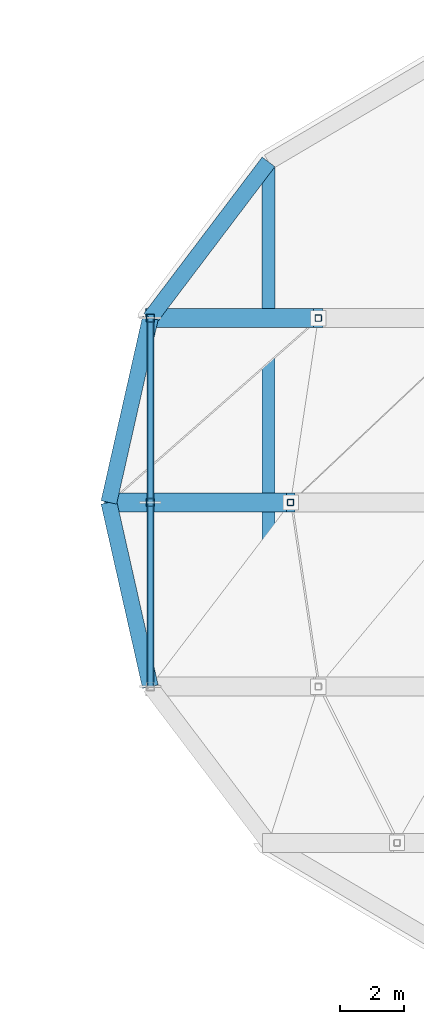
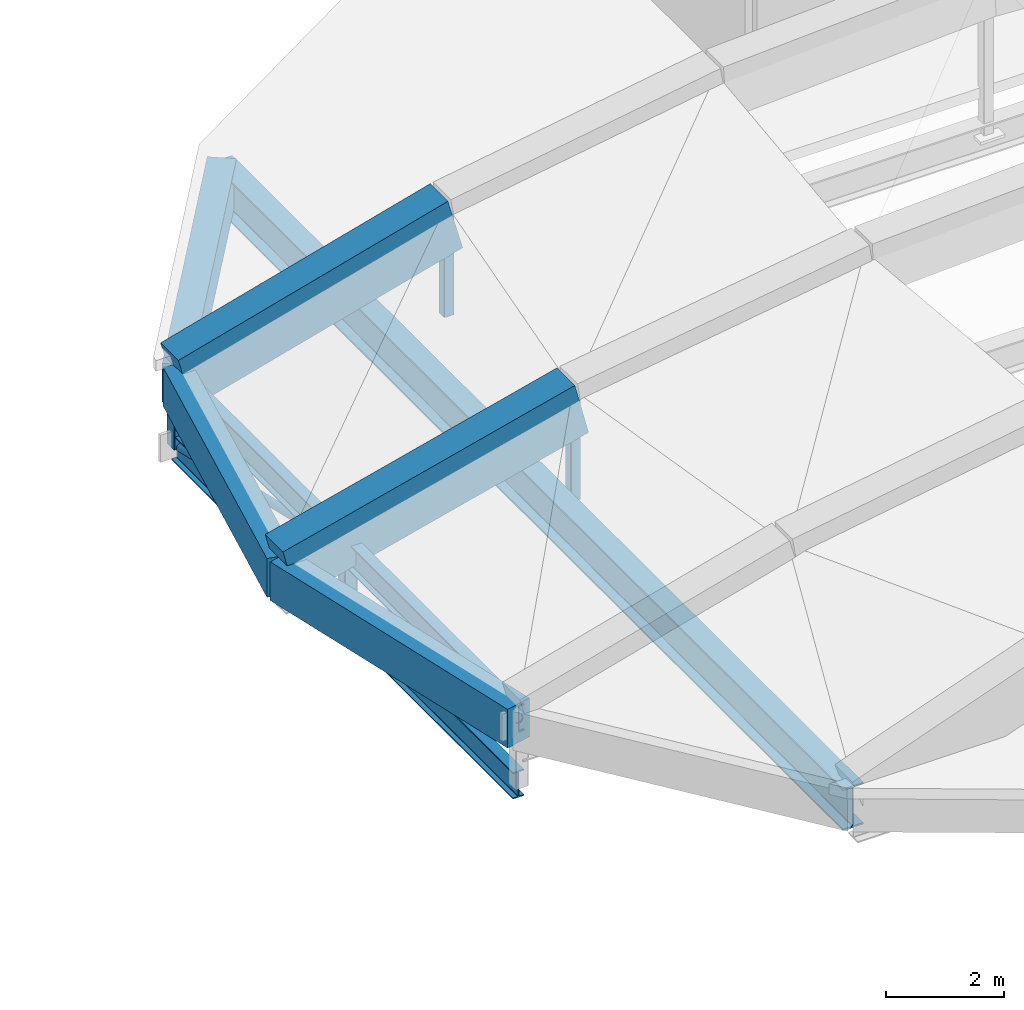
# One storey, part 49 of 88: 8 members, 7 beams.
"""IFC4 building model written with IfcOpenShell, lengths in metres."""

from ifc_helpers import new_model, si_unit, direction, frame, origin, origin_2d, place, context, subcontext, project, spatial, rectangle, hollow_rectangle, hollow_circle, i_section, extrude, material, material_profile, profile_set, type_object, element, save


model = new_model("IFC4")

# Units and contexts
model_context = context("Model", 3, precision=1e-05, world=origin(), true_north=direction((0.0, 1.0)))
body_context = subcontext(model_context, "Body", "Model", "MODEL_VIEW")
ifc_project = project(units=[si_unit("LENGTHUNIT", "METRE"), si_unit("AREAUNIT", "SQUARE_METRE"), si_unit("VOLUMEUNIT", "CUBIC_METRE"), si_unit("PLANEANGLEUNIT", "RADIAN"), si_unit("MASSUNIT", "GRAM", prefix="KILO")], contexts=[model_context])

# Site, building, storey
site_placement = place(None, origin())
site = spatial("IfcSite", under=ifc_project, at=site_placement, CompositionType="ELEMENT")
building_placement = place(site_placement, origin())
building = spatial("IfcBuilding", under=site, at=building_placement, Name="Vespera Passage Community Centre", CompositionType="ELEMENT")
storey_placement = place(building_placement, frame((0.0, 0.0, 16.5)))
storey = spatial("IfcBuildingStorey", under=building, at=storey_placement, Name="L04", CompositionType="ELEMENT", Elevation=16.5)

# Beams
ifc_material_1 = material(Name="Concrete f'c 45 MPa", Category="concrete")
ifc_material_profile_1 = material_profile(ifc_material_1, rectangle(XDim=0.60009765625, YDim=1.10009765625, at=origin_2d()), Name="RC600X1100")
ifc_profile_set_1 = profile_set([ifc_material_profile_1], Name="Concrete f'c 45 MPa")
beam_type_1 = type_object("IfcBeamType", Name="BM-AR-600X1100", PredefinedType="USERDEFINED", material=ifc_profile_set_1)
beam_1_placement = place(storey_placement, frame((125.89990234375, 89.5, -0.419921875), z_axis=(0.969365839516, 0.0, 0.245621393977), x_axis=(0.0, 1.0, 0.0)))
element("IfcBeam", 1, at=beam_1_placement, inside=storey, type_object=beam_type_1, Name="Sports Hall Arched Rib 3.1", ObjectType="ARCH RIB", PredefinedType="USERDEFINED", context=body_context, shape_type="SweptSolid", body=[
    extrude(rectangle(XDim=0.60009765625, YDim=1.10009765625, at=origin_2d()), origin(), (0.0, 0.0, 1.0), 5.88037109375),
])
beam_2_placement = place(storey_placement, frame((127.20166015625, 95.278564453125, -0.419921875), z_axis=(0.964385203819, 0.0, 0.264501755484), x_axis=(0.0, 1.0, 0.0)))
element("IfcBeam", 2, at=beam_2_placement, inside=storey, type_object=beam_type_1, Name="Sports Hall Arched Rib 4.1", ObjectType="ARCH RIB", PredefinedType="USERDEFINED", context=body_context, shape_type="SweptSolid", body=[
    extrude(rectangle(XDim=0.60009765625, YDim=1.10009765625, at=origin_2d()), origin(), (0.0, 0.0, 1.0), 5.460693359375),
])
ifc_material_2 = material(Name="Steel ASTM A992 Grade 50", Category="steel")
ifc_material_profile_2 = material_profile(ifc_material_2, i_section(OverallWidth=0.2138671875, OverallDepth=0.548583984375, WebThickness=0.0146484375, FlangeThickness=0.023681640625, FilletRadius=0.0126953125, at=origin_2d()), Name="W21X93")
ifc_profile_set_2 = profile_set([ifc_material_profile_2], Name="Steel ASTM A992 Grade 50")
beam_type_2 = type_object("IfcBeamType", Name="BM-G-W21X93", PredefinedType="BEAM", material=ifc_profile_set_2)
beam_3_placement = place(storey_placement, frame((127.20166015625, 95.278564453125, -1.860107421875), z_axis=(0.0, -1.0, 0.0), x_axis=(1.0, 0.0, 0.0)))
element("IfcBeam", 3, at=beam_3_placement, inside=storey, type_object=beam_type_2, Name="Sports Hall Eave Tie Beam 2", PredefinedType="BEAM", context=body_context, shape_type="SweptSolid", body=[
    extrude(i_section(OverallWidth=0.2138671875, OverallDepth=0.548583984375, WebThickness=0.0146484375, FlangeThickness=0.023681640625, FilletRadius=0.0126953125, at=origin_2d()), origin(), (0.0, 0.0, 1.0), 11.55712890625),
])
ifc_material_3 = material(Name="Steel ASTM A992 Grade 50", Category="steel")
ifc_material_profile_3 = material_profile(ifc_material_3, i_section(OverallWidth=0.400146484375, OverallDepth=0.86181640625, WebThickness=0.019775390625, FlangeThickness=0.032470703125, FilletRadius=0.017822265625, at=origin_2d()), Name="W33X221")
ifc_profile_set_3 = profile_set([ifc_material_profile_3], Name="Steel ASTM A992 Grade 50")
beam_type_3 = type_object("IfcBeamType", Name="BM-G-W33X221", PredefinedType="BEAM", material=ifc_profile_set_3)
beam_4_placement = place(storey_placement, frame((130.908447265625, 100.17724609375, -0.65087890625), z_axis=(0.0, -1.0, 0.0), x_axis=(1.0, 0.0, 0.0)))
element("IfcBeam", 4, at=beam_4_placement, inside=storey, type_object=beam_type_3, Name="Sports Hall Roof Frame Girder 4", PredefinedType="BEAM", context=body_context, shape_type="SweptSolid", body=[
    extrude(i_section(OverallWidth=0.400146484375, OverallDepth=0.86181640625, WebThickness=0.019775390625, FlangeThickness=0.032470703125, FilletRadius=0.017822265625, at=origin_2d()), origin(), (0.0, 0.0, 1.0), 21.3544921875),
])
ifc_material_4 = material(Name="Concrete f'c 35 MPa", Category="concrete")
ifc_material_profile_4 = material_profile(ifc_material_4, rectangle(XDim=0.5, YDim=0.800048828125, at=origin_2d()), Name="RC500X800")
ifc_profile_set_4 = profile_set([ifc_material_profile_4], Name="Concrete f'c 35 MPa")
beam_type_4 = type_object("IfcBeamType", Name="BM-SP-500X800E", PredefinedType="SPANDREL", material=ifc_profile_set_4)
beam_5_placement = place(storey_placement, frame((130.908447265625, 100.17724609375, -0.60009765625), z_axis=(-0.603409203322, -0.797431710773, 0.0), x_axis=(0.797431710773, -0.603409203322, 0.0)))
element("IfcBeam", 5, at=beam_5_placement, inside=storey, type_object=beam_type_4, Name="V2 L04 Perimeter Spandrel 7", PredefinedType="SPANDREL", context=body_context, shape_type="SweptSolid", body=[
    extrude(rectangle(XDim=0.5, YDim=0.800048828125, at=origin_2d()), origin(), (0.0, 0.0, 1.0), 6.14306640625),
])
for number, where, z_axis, x_axis, name in (
    (6, (127.20166015625, 95.278564453125, -0.60009765625), (-0.219766204697, -0.9755525692, 0.0), (0.9755525692, -0.219766204697, 0.0), "V2 L04 Perimeter Spandrel 8"),
    (7, (125.89990234375, 89.5, -0.60009765625), (0.219766204697, -0.9755525692, 0.0), (0.9755525692, 0.219766204697, 0.0), "V2 L04 Perimeter Spandrel 9"),
):
    element("IfcBeam", number, at=place(storey_placement, frame(where, z_axis=z_axis, x_axis=x_axis)), inside=storey, type_object=beam_type_4, Name=name, PredefinedType="SPANDREL", context=body_context, shape_type="SweptSolid", body=[
        extrude(rectangle(XDim=0.5, YDim=0.800048828125, at=origin_2d()), origin(), (0.0, 0.0, 1.0), 5.92333984375),
    ])

# Members
ifc_material_5 = material(Name="Steel ASTM A500 Grade C", Category="steel")
ifc_material_profile_5 = material_profile(ifc_material_5, hollow_circle(Radius=0.084228515625, WallThickness=0.0087890625, at=origin_2d()), Name="CHS168X9.5")
ifc_profile_set_5 = profile_set([ifc_material_profile_5], Name="Steel ASTM A500 Grade C")
member_type_1 = type_object("IfcMemberType", Name="SB-168", PredefinedType="BRACE", material=ifc_profile_set_5)
for number, where, z_axis, x_axis, name in (
    (8, (127.20166015625, 95.278564453125, -1.860107421875), (0.0, -0.973775316628, 0.22751182986), (1.0, 0.0, 0.0), "Sports Eave Brace 2.1"),
    (9, (127.20166015625, 89.5, -1.860107421875), (0.0, -0.973775316628, 0.22751182986), (1.0, 0.0, 0.0), "Sports Eave Brace 2.2"),
):
    element("IfcMember", number, at=place(storey_placement, frame(where, z_axis=z_axis, x_axis=x_axis)), inside=storey, type_object=member_type_1, Name=name, PredefinedType="BRACE", context=body_context, shape_type="SweptSolid", body=[
        extrude(hollow_circle(Radius=0.084228515625, WallThickness=0.0087890625, at=origin_2d()), origin(), (0.0, 0.0, 1.0), 5.93408203125),
    ])
ifc_material_6 = material(Name="Steel ASTM A992 Grade 50", Category="steel")
ifc_material_profile_6 = material_profile(ifc_material_6, i_section(OverallWidth=0.2138671875, OverallDepth=0.548583984375, WebThickness=0.0146484375, FlangeThickness=0.023681640625, FilletRadius=0.0126953125, at=origin_2d()), Name="W21X93")
ifc_profile_set_6 = profile_set([ifc_material_profile_6], Name="Steel ASTM A992 Grade 50")
member_type_2 = type_object("IfcMemberType", Name="SC-2193", PredefinedType="CHORD", material=ifc_profile_set_6)
for number, where, z_axis, x_axis, name in (
    (10, (127.20166015625, 95.278564453125, -0.510009765625), (0.0, -1.0, 0.0), (1.0, 0.0, 0.0), "Sports Eave Chord 2.1"),
    (11, (127.20166015625, 89.5, -0.510009765625), (0.0, -1.0, 0.0), (1.0, 0.0, 0.0), "Sports Eave Chord 2.2"),
):
    element("IfcMember", number, at=place(storey_placement, frame(where, z_axis=z_axis, x_axis=x_axis)), inside=storey, type_object=member_type_2, Name=name, PredefinedType="CHORD", context=body_context, shape_type="SweptSolid", body=[
        extrude(i_section(OverallWidth=0.2138671875, OverallDepth=0.548583984375, WebThickness=0.0146484375, FlangeThickness=0.023681640625, FilletRadius=0.0126953125, at=origin_2d()), origin(), (0.0, 0.0, 1.0), 5.778564453125),
    ])
ifc_material_7 = material(Name="Steel ASTM A500 Grade C", Category="steel")
ifc_material_profile_7 = material_profile(ifc_material_7, hollow_rectangle(XDim=0.203125, YDim=0.203125, WallThickness=0.01171875, InnerFilletRadius=0.01171875, OuterFilletRadius=0.023681640625, at=origin_2d()), Name="HSS203X203X12.7")
ifc_profile_set_7 = profile_set([ifc_material_profile_7], Name="Steel ASTM A500 Grade C")
member_type_3 = type_object("IfcMemberType", Name="SS-203", PredefinedType="STRUT", material=ifc_profile_set_7)
for number, where, z_axis, x_axis, name in (
    (12, (131.60009765625, 89.5, -0.989990234375), (0.0, 0.0, 1.0), (1.0, 0.0, 0.0), "Sports Hall Arch Rib 3 Bowstring Post 1"),
    (13, (132.4677734375, 95.278564453125, -0.989990234375), (0.0, 0.0, 1.0), (1.0, 0.0, 0.0), "Sports Hall Arch Rib 4 Bowstring Post 1"),
):
    element("IfcMember", number, at=place(storey_placement, frame(where, z_axis=z_axis, x_axis=x_axis)), inside=storey, type_object=member_type_3, Name=name, PredefinedType="STRUT", context=body_context, shape_type="SweptSolid", body=[
        extrude(hollow_rectangle(XDim=0.203125, YDim=0.203125, WallThickness=0.01171875, InnerFilletRadius=0.01171875, OuterFilletRadius=0.023681640625, at=origin_2d()), origin(), (0.0, 0.0, 1.0), 2.014404296875),
    ])
ifc_material_8 = material(Name="Steel ASTM A500 Grade C", Category="steel")
ifc_material_profile_8 = material_profile(ifc_material_8, hollow_rectangle(XDim=0.25390625, YDim=0.25390625, WallThickness=0.01171875, InnerFilletRadius=0.01171875, OuterFilletRadius=0.023681640625, at=origin_2d()), Name="HSS254X254X12.7")
ifc_profile_set_8 = profile_set([ifc_material_profile_8], Name="Steel ASTM A500 Grade C")
member_type_4 = type_object("IfcMemberType", Name="TP-254", PredefinedType="POST", material=ifc_profile_set_8)
for number, where, z_axis, x_axis, name in (
    (14, (127.20166015625, 95.278564453125, -1.860107421875), (0.0, 0.0, 1.0), (1.0, 0.0, 0.0), "Sports Eave Post 2.1"),
    (15, (127.20166015625, 89.5, -1.860107421875), (0.0, 0.0, 1.0), (1.0, 0.0, 0.0), "Sports Eave Post 2.2"),
):
    element("IfcMember", number, at=place(storey_placement, frame(where, z_axis=z_axis, x_axis=x_axis)), inside=storey, type_object=member_type_4, Name=name, PredefinedType="POST", context=body_context, shape_type="SweptSolid", body=[
        extrude(hollow_rectangle(XDim=0.25390625, YDim=0.25390625, WallThickness=0.01171875, InnerFilletRadius=0.01171875, OuterFilletRadius=0.023681640625, at=origin_2d()), origin(), (0.0, 0.0, 1.0), 1.35009765625),
    ])

save(model, "model.ifc")
